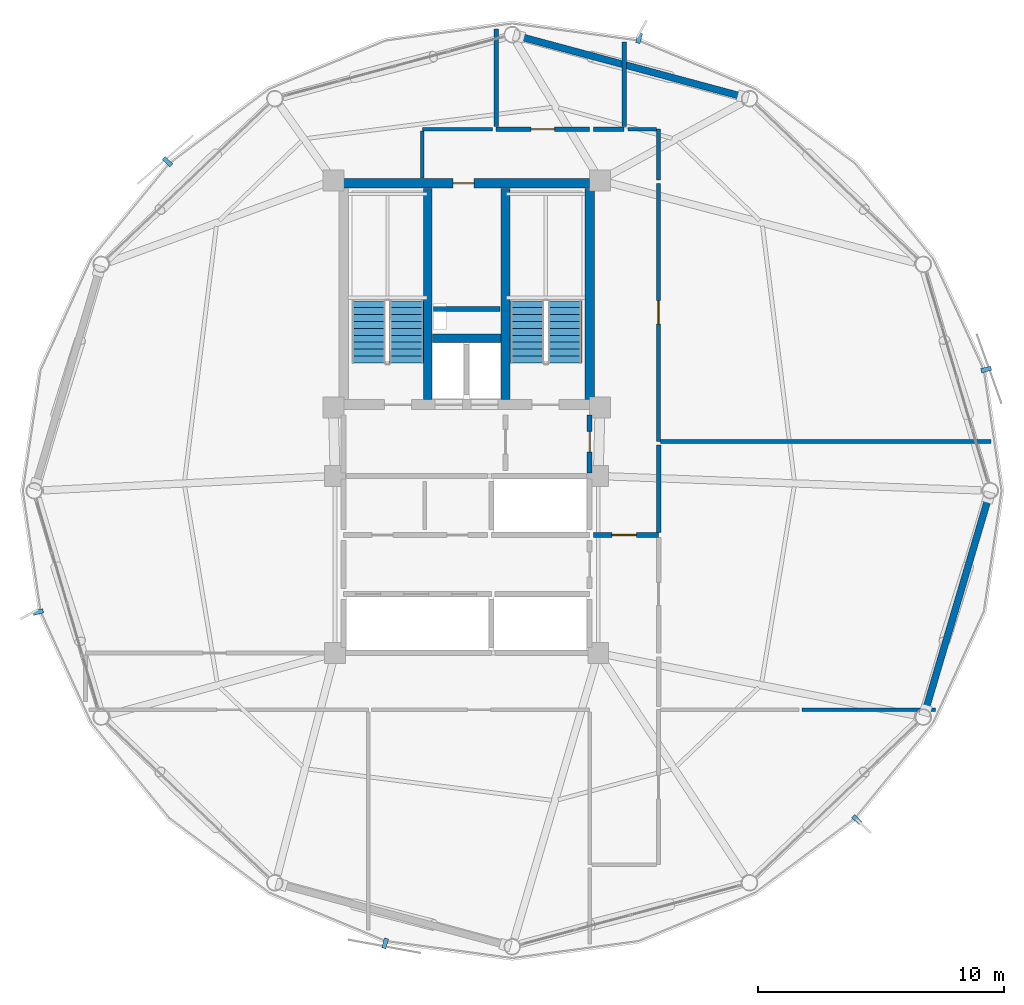
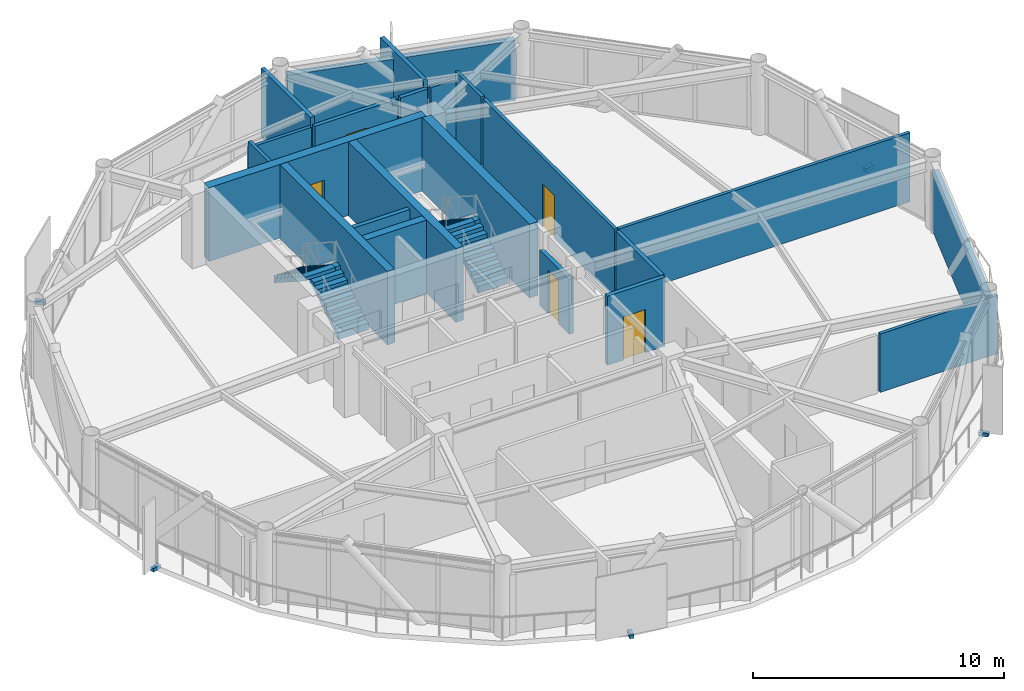
# One storey, part 25 of 28: 22 walls, 6 discrete accessories, 5 doors, 4 stair flights, 5 openings, 2 elements without a shape of their own.
"""IFC4 building model written with IfcOpenShell, lengths in metres."""

from ifc_helpers import new_model, si_unit, direction, frame, frame_2d, origin, origin_2d, place, context, subcontext, project, spatial, polyline, rectangle, outline, extrude, source, transform, mapped, material, layer, layer_set, type_object, type_shapes, element, fill, aggregate, save


model = new_model("IFC4")

# Units and contexts
model_context = context("Model", 3, precision=1e-05, world=origin(), true_north=direction((0.0, 1.0)))
body_context = subcontext(model_context, "Body", "Model", "MODEL_VIEW")
ifc_project = project(units=[si_unit("LENGTHUNIT", "METRE"), si_unit("AREAUNIT", "SQUARE_METRE"), si_unit("VOLUMEUNIT", "CUBIC_METRE"), si_unit("PLANEANGLEUNIT", "RADIAN"), si_unit("MASSUNIT", "GRAM", prefix="KILO")], contexts=[model_context])

# Site, building, storey
site_placement = place(None, origin())
site = spatial("IfcSite", under=ifc_project, at=site_placement, CompositionType="ELEMENT")
building_placement = place(site_placement, origin())
building = spatial("IfcBuilding", under=site, at=building_placement, Name="Varnakorn Sky Granary", CompositionType="ELEMENT")
storey_placement = place(building_placement, frame((0.0, 0.0, 196.800048828125)))
storey = spatial("IfcBuildingStorey", under=building, at=storey_placement, Name="L49", CompositionType="ELEMENT", Elevation=196.800048828125)

# Walls
ifc_material_1 = material(Name="Concrete C50/60", Category="concrete")
ifc_layer_1 = layer(ifc_material_1, 0.35009765625, Name="Concrete C50/60")
ifc_layer_set_1 = layer_set([ifc_layer_1], Name="Concrete C50/60")
wall_type_1 = type_object("IfcWallType", Name="WT-CW-INT-350", PredefinedType="SHEAR", material=ifc_layer_set_1)
for number, where, z_axis, x_axis, name in (
    (1, (1.419921875, 3.7099609375, 0.0), (0.0, 0.0, 1.0), (0.0, 1.0, 0.0), "Stair ST-1 Core Wall L49"),
    (2, (4.580078125, 3.7099609375, 0.0), (0.0, 0.0, 1.0), (0.0, 1.0, 0.0), "Stair ST-2 Core Wall L49"),
):
    element("IfcWall", number, at=place(storey_placement, frame(where, z_axis=z_axis, x_axis=x_axis)), inside=storey, type_object=wall_type_1, Name=name, PredefinedType="SHEAR", context=body_context, shape_type="SweptSolid", body=[
        extrude(rectangle(XDim=8.580078125, YDim=0.35009765625, at=frame_2d((4.2900390625, 0.0))), origin(), (0.0, 0.0, 1.0), 3.592041015625),
    ])
wall_1_placement = place(storey_placement, frame((1.610107421875, 6.199951171875, 0.0), z_axis=(0.0, 0.0, 1.0), x_axis=(1.0, 0.0, 0.0)))
element("IfcWall", 3, at=wall_1_placement, inside=storey, type_object=wall_type_1, Name="Core Lift Shaft Cross Wall L49", PredefinedType="SHEAR", context=body_context, shape_type="SweptSolid", body=[
    extrude(rectangle(XDim=2.77978515625, YDim=0.35009765625, at=frame_2d((1.389892578125, 0.0))), origin(), (0.0, 0.0, 1.0), 3.592041015625),
])

# Wall, opening, door
ifc_layer_2 = layer(ifc_material_1, 0.39990234375, Name="Concrete C50/60")
ifc_layer_set_2 = layer_set([ifc_layer_2], Name="Concrete C50/60")
wall_type_2 = type_object("IfcWallType", Name="WT-CW-SHEAR-400", PredefinedType="SHEAR", material=ifc_layer_set_2)
wall_2_placement = place(storey_placement, frame((-2.0, 12.5, 0.0), z_axis=(0.0, 0.0, 1.0), x_axis=(1.0, 0.0, 0.0)))
wall_2 = element("IfcWall", 4, at=wall_2_placement, inside=storey, type_object=wall_type_2, Name="Core North Shear Wall L49", PredefinedType="SHEAR", context=body_context, shape_type="SweptSolid", body=[
    extrude(rectangle(XDim=10.0, YDim=0.39990234375, at=frame_2d((5.0, 0.0))), origin(), (0.0, 0.0, 1.0), 3.592041015625),
])
opening_1_placement = place(wall_2_placement, frame((4.449951171875, 0.0, 0.0)))
opening_1 = element("IfcOpeningElement", 5, at=opening_1_placement, cuts=wall_2, Name="Opening FD-60N", PredefinedType="OPENING", context=body_context, shape_type="SweptSolid", body=[
    extrude(rectangle(XDim=0.85009765625, YDim=2.10009765625, at=frame_2d((0.425048828125, 1.050048828125))), frame((0.0, 0.2099609375, 0.0), z_axis=(0.0, -1.0, 0.0), x_axis=(1.0, 0.0, 0.0)), (0.0, 0.0, 1.0), 0.419921875),
])
ifc_material_2 = material(Name="Acoustic Timber Fire Leaf", Category="wood")
door_type_1 = type_object("IfcDoorType", Name="DR-FD60-850", OperationType="NOTDEFINED", PredefinedType="DOOR", material=ifc_material_2)
door_1_placement = place(opening_1_placement, origin())
door_1 = element("IfcDoor", 6, at=door_1_placement, inside=storey, type_object=door_type_1, Name="Core North Service Door L49", OperationType="SINGLE_SWING_LEFT", OverallHeight=2.10009765625, OverallWidth=0.85009765625, PredefinedType="DOOR", context=body_context, shape_type="SweptSolid", body=[
    extrude(rectangle(XDim=0.85009765625, YDim=2.10009765625, at=frame_2d((0.425048828125, 1.050048828125))), frame((0.0, 0.02490234375, 0.0), z_axis=(0.0, -1.0, 0.0), x_axis=(1.0, 0.0, 0.0)), (0.0, 0.0, 1.0), 0.050048828125),
])
fill(opening_1, door_1)

# Walls
wall_3_placement = place(storey_placement, frame((8.0, 3.7099609375, 0.0), z_axis=(0.0, 0.0, 1.0), x_axis=(0.0, 1.0, 0.0)))
element("IfcWall", 7, at=wall_3_placement, inside=storey, type_object=wall_type_2, Name="Core East Shear Wall L49", PredefinedType="SHEAR", context=body_context, shape_type="SweptSolid", body=[
    extrude(rectangle(XDim=8.580078125, YDim=0.39990234375, at=frame_2d((4.2900390625, 0.0))), origin(), (0.0, 0.0, 1.0), 3.592041015625),
])
ifc_material_3 = material(Name="Precast concrete C40/50", Category="concrete")
ifc_layer_3 = layer(ifc_material_3, 0.280029296875, Name="Precast concrete C40/50")
ifc_layer_set_3 = layer_set([ifc_layer_3], Name="Precast concrete C40/50")
wall_type_3 = type_object("IfcWallType", Name="WT-EW-CRN-280", PredefinedType="SOLIDWALL", material=ifc_layer_set_3)
wall_4_placement = place(storey_placement, frame((5.125244140625, 18.472900390625, 0.0), z_axis=(0.0, 0.0, 1.0), x_axis=(0.965554731301, -0.260200040087, 0.0)))
element("IfcWall", 8, at=wall_4_placement, inside=storey, type_object=wall_type_3, Name="Agritech Insulated Precast Facade Wall L49-P03", PredefinedType="SOLIDWALL", context=body_context, shape_type="SweptSolid", body=[
    extrude(rectangle(XDim=9.4287109375, YDim=0.280029296875, at=frame_2d((4.71435546875, 0.0))), origin(), (0.0, 0.0, 1.0), 2.929931640625),
])
wall_5_placement = place(storey_placement, frame((24.213134765625, -0.273193359375, 0.0), z_axis=(0.0, 0.0, 1.0), x_axis=(-0.28353319575, -0.958962422052, 0.0)))
element("IfcWall", 9, at=wall_5_placement, inside=storey, type_object=wall_type_3, Name="Agritech Insulated Precast Facade Wall L49-P12", PredefinedType="SOLIDWALL", context=body_context, shape_type="SweptSolid", body=[
    extrude(rectangle(XDim=9.030029296875, YDim=0.280029296875, at=frame_2d((4.51513671875, 0.0))), origin(), (0.0, 0.0, 1.0), 2.929931640625),
])

# Wall, opening, door
ifc_material_4 = material(Name="Autoclaved Aerated Concrete Blockwork", Category="masonry")
ifc_layer_4 = layer(ifc_material_4, 0.199951171875, Name="Autoclaved Aerated Concrete Blockwork")
ifc_layer_set_4 = layer_set([ifc_layer_4], Name="Autoclaved Aerated Concrete Blockwork")
wall_type_4 = type_object("IfcWallType", Name="WT-FIRE-200", PredefinedType="MOVABLE", material=ifc_layer_set_4)
wall_6_placement = place(storey_placement, frame((8.0, 0.719970703125, 0.0), z_axis=(0.0, 0.0, 1.0), x_axis=(0.0, 1.0, 0.0)))
wall_6 = element("IfcWall", 10, at=wall_6_placement, inside=storey, type_object=wall_type_4, Name="Interior Partition Wall L49-015", PredefinedType="MOVABLE", context=body_context, shape_type="SweptSolid", body=[
    extrude(rectangle(XDim=2.35009765625, YDim=0.199951171875, at=frame_2d((1.175048828125, 0.0))), origin(), (0.0, 0.0, 1.0), 2.69189453125),
])
opening_2_placement = place(wall_6_placement, frame((0.844970703125, 0.0, 0.0)))
opening_2 = element("IfcOpeningElement", 11, at=opening_2_placement, cuts=wall_6, Name="Opening FD-60N", PredefinedType="OPENING", context=body_context, shape_type="SweptSolid", body=[
    extrude(rectangle(XDim=0.85009765625, YDim=2.10009765625, at=frame_2d((0.425048828125, 1.050048828125))), frame((0.0, 0.10986328125, 0.0), z_axis=(0.0, -1.0, 0.0), x_axis=(1.0, 0.0, 0.0)), (0.0, 0.0, 1.0), 0.219970703125),
])
door_2_placement = place(opening_2_placement, origin())
door_2 = element("IfcDoor", 12, at=door_2_placement, inside=storey, type_object=door_type_1, Name="Interior Door L49-015-1", OperationType="SINGLE_SWING_LEFT", OverallHeight=2.10009765625, OverallWidth=0.85009765625, PredefinedType="DOOR", context=body_context, shape_type="SweptSolid", body=[
    extrude(rectangle(XDim=0.85009765625, YDim=2.10009765625, at=frame_2d((0.425048828125, 1.050048828125))), frame((0.0, 0.02490234375, 0.0), z_axis=(0.0, -1.0, 0.0), x_axis=(1.0, 0.0, 0.0)), (0.0, 0.0, 1.0), 0.050048828125),
])
fill(opening_2, door_2)

wall_7_placement = place(storey_placement, frame((8.159912109375, -1.800048828125, 0.0), z_axis=(0.0, 0.0, 1.0), x_axis=(1.0, 0.0, 0.0)))
wall_7 = element("IfcWall", 13, at=wall_7_placement, inside=storey, type_object=wall_type_4, Name="Interior Partition Wall L49-018", PredefinedType="MOVABLE", context=body_context, shape_type="SweptSolid", body=[
    extrude(rectangle(XDim=2.64013671875, YDim=0.199951171875, at=frame_2d((1.320068359375, 0.0))), origin(), (0.0, 0.0, 1.0), 3.35986328125),
])
opening_3_placement = place(wall_7_placement, frame((0.739990234375, 0.0, 0.0)))
opening_3 = element("IfcOpeningElement", 14, at=opening_3_placement, cuts=wall_7, Name="Opening FD-60", PredefinedType="OPENING", context=body_context, shape_type="SweptSolid", body=[
    extrude(rectangle(XDim=1.0, YDim=2.10009765625, at=frame_2d((0.5, 1.050048828125))), frame((0.0, 0.10986328125, 0.0), z_axis=(0.0, -1.0, 0.0), x_axis=(1.0, 0.0, 0.0)), (0.0, 0.0, 1.0), 0.219970703125),
])
door_type_2 = type_object("IfcDoorType", Name="DR-FD60-1000", OperationType="NOTDEFINED", PredefinedType="DOOR", material=ifc_material_2)
door_3_placement = place(opening_3_placement, origin())
door_3 = element("IfcDoor", 15, at=door_3_placement, inside=storey, type_object=door_type_2, Name="Interior Door L49-018-1", OperationType="SINGLE_SWING_LEFT", OverallHeight=2.10009765625, OverallWidth=1.0, PredefinedType="DOOR", context=body_context, shape_type="SweptSolid", body=[
    extrude(rectangle(XDim=1.0, YDim=2.10009765625, at=frame_2d((0.5, 1.050048828125))), frame((0.0, 0.02490234375, 0.0), z_axis=(0.0, -1.0, 0.0), x_axis=(1.0, 0.0, 0.0)), (0.0, 0.0, 1.0), 0.050048828125),
])
fill(opening_3, door_3)

ifc_material_5 = material(Name="Gypsum Plasterboard on Steel Stud", Category="steel")
ifc_layer_5 = layer(ifc_material_5, 0.14990234375, Name="Gypsum Plasterboard on Steel Stud")
ifc_layer_set_5 = layer_set([ifc_layer_5], Name="Gypsum Plasterboard on Steel Stud")
wall_type_5 = type_object("IfcWallType", Name="WT-PART-150", PredefinedType="PARTITIONING", material=ifc_layer_set_5)
wall_8_placement = place(storey_placement, frame((10.800048828125, 2.0, 0.0), z_axis=(0.0, 0.0, 1.0), x_axis=(0.0, 1.0, 0.0)))
wall_8 = element("IfcWall", 16, at=wall_8_placement, inside=storey, type_object=wall_type_5, Name="Interior Partition Wall L49-025", PredefinedType="PARTITIONING", context=body_context, shape_type="SweptSolid", body=[
    extrude(rectangle(XDim=10.5, YDim=0.14990234375, at=frame_2d((5.25, 0.0))), origin(), (0.0, 0.0, 1.0), 3.35986328125),
])
opening_4_placement = place(wall_8_placement, frame((4.77490234375, 0.0, 0.0)))
opening_4 = element("IfcOpeningElement", 17, at=opening_4_placement, cuts=wall_8, Name="Opening ID-95", PredefinedType="OPENING", context=body_context, shape_type="SweptSolid", body=[
    extrude(rectangle(XDim=0.949951171875, YDim=2.10009765625, at=frame_2d((0.47509765625, 1.050048828125))), frame((0.0, 0.0849609375, 0.0), z_axis=(0.0, -1.0, 0.0), x_axis=(1.0, 0.0, 0.0)), (0.0, 0.0, 1.0), 0.169921875),
])
ifc_material_6 = material(Name="Solid-Core Teak Veneer Leaf", Category="timber")
door_type_3 = type_object("IfcDoorType", Name="DR-INT-950", OperationType="NOTDEFINED", PredefinedType="DOOR", material=ifc_material_6)
door_4_placement = place(opening_4_placement, origin())
door_4 = element("IfcDoor", 18, at=door_4_placement, inside=storey, type_object=door_type_3, Name="Interior Door L49-025-1", OperationType="SINGLE_SWING_RIGHT", OverallHeight=2.10009765625, OverallWidth=0.949951171875, PredefinedType="DOOR", context=body_context, shape_type="SweptSolid", body=[
    extrude(rectangle(XDim=0.949951171875, YDim=2.10009765625, at=frame_2d((0.47509765625, 1.050048828125))), frame((0.0, 0.02490234375, 0.0), z_axis=(0.0, -1.0, 0.0), x_axis=(1.0, 0.0, 0.0)), (0.0, 0.0, 1.0), 0.050048828125),
])
fill(opening_4, door_4)

# Walls
wall_9_placement = place(storey_placement, frame((16.635009765625, -8.89990234375, 0.0), z_axis=(0.0, 0.0, 1.0), x_axis=(1.0, 0.0, 0.0)))
element("IfcWall", 19, at=wall_9_placement, inside=storey, type_object=wall_type_5, Name="Interior Partition Wall L49-037", PredefinedType="PARTITIONING", context=body_context, shape_type="SweptSolid", body=[
    extrude(rectangle(XDim=5.416015625, YDim=0.14990234375, at=frame_2d((2.7080078125, 0.0))), origin(), (0.0, 0.0, 1.0), 2.842041015625),
])
wall_10_placement = place(storey_placement, frame((4.050048828125, 14.699951171875, 0.0), z_axis=(0.0, 0.0, 1.0), x_axis=(-1.0, 0.0, 0.0)))
element("IfcWall", 20, at=wall_10_placement, inside=storey, type_object=wall_type_5, Name="Interior Partition Wall L49-039", PredefinedType="PARTITIONING", context=body_context, shape_type="SweptSolid", body=[
    extrude(rectangle(XDim=2.85009765625, YDim=0.14990234375, at=frame_2d((1.425048828125, 0.0))), origin(), (0.0, 0.0, 1.0), 3.011962890625),
])
wall_11_placement = place(storey_placement, frame((1.199951171875, 14.614990234375, 0.0), z_axis=(0.0, 0.0, 1.0), x_axis=(0.0, -1.0, 0.0)))
element("IfcWall", 21, at=wall_11_placement, inside=storey, type_object=wall_type_5, Name="Interior Partition Wall L49-040", PredefinedType="PARTITIONING", context=body_context, shape_type="SweptSolid", body=[
    extrude(rectangle(XDim=1.905029296875, YDim=0.14990234375, at=frame_2d((0.95263671875, 0.0))), origin(), (0.0, 0.0, 1.0), 3.35986328125),
])
wall_12_placement = place(storey_placement, frame((10.885009765625, 2.0, 0.0), z_axis=(0.0, 0.0, 1.0), x_axis=(1.0, 0.0, 0.0)))
element("IfcWall", 22, at=wall_12_placement, inside=storey, type_object=wall_type_5, Name="Interior Partition Wall L49-044", PredefinedType="PARTITIONING", context=body_context, shape_type="SweptSolid", body=[
    extrude(rectangle(XDim=13.425048828125, YDim=0.14990234375, at=frame_2d((6.71240234375, 0.0))), origin(), (0.0, 0.0, 1.0), 3.35986328125),
])
wall_13_placement = place(storey_placement, frame((10.800048828125, 12.635009765625, 0.0), z_axis=(0.0, 0.0, 1.0), x_axis=(0.0, 1.0, 0.0)))
element("IfcWall", 23, at=wall_13_placement, inside=storey, type_object=wall_type_5, Name="Interior Partition Wall L49-045", PredefinedType="PARTITIONING", context=body_context, shape_type="SweptSolid", body=[
    extrude(rectangle(XDim=2.06494140625, YDim=0.14990234375, at=frame_2d((1.032470703125, 0.0))), origin(), (0.0, 0.0, 1.0), 3.35986328125),
])
wall_14_placement = place(storey_placement, frame((10.715087890625, 14.699951171875, 0.0), z_axis=(0.0, 0.0, 1.0), x_axis=(-1.0, 0.0, 0.0)))
element("IfcWall", 24, at=wall_14_placement, inside=storey, type_object=wall_type_5, Name="Interior Partition Wall L49-046", PredefinedType="PARTITIONING", context=body_context, shape_type="SweptSolid", body=[
    extrude(rectangle(XDim=1.1650390625, YDim=0.14990234375, at=frame_2d((0.58251953125, 0.0))), origin(), (0.0, 0.0, 1.0), 3.011962890625),
])

# Wall, opening, door
ifc_material_7 = material(Name="Moisture-Resistant Gypsum on Stud", Category="gypsum")
ifc_layer_6 = layer(ifc_material_7, 0.179931640625, Name="Moisture-Resistant Gypsum on Stud")
ifc_layer_set_6 = layer_set([ifc_layer_6], Name="Moisture-Resistant Gypsum on Stud")
wall_type_6 = type_object("IfcWallType", Name="WT-PLUMB-180", PredefinedType="PLUMBINGWALL", material=ifc_layer_set_6)
wall_15_placement = place(storey_placement, frame((8.0, 14.699951171875, 0.0), z_axis=(0.0, 0.0, 1.0), x_axis=(-1.0, 0.0, 0.0)))
wall_15 = element("IfcWall", 25, at=wall_15_placement, inside=storey, type_object=wall_type_6, Name="Interior Partition Wall L49-019", PredefinedType="PLUMBINGWALL", context=body_context, shape_type="SweptSolid", body=[
    extrude(rectangle(XDim=3.800048828125, YDim=0.179931640625, at=frame_2d((1.89990234375, 0.0))), origin(), (0.0, 0.0, 1.0), 3.011962890625),
])
opening_5_placement = place(wall_15_placement, frame((1.425048828125, 0.0, 0.0)))
opening_5 = element("IfcOpeningElement", 26, at=opening_5_placement, cuts=wall_15, Name="Opening ID-95", PredefinedType="OPENING", context=body_context, shape_type="SweptSolid", body=[
    extrude(rectangle(XDim=0.949951171875, YDim=2.10009765625, at=frame_2d((0.47509765625, 1.050048828125))), frame((0.0, 0.10009765625, 0.0), z_axis=(0.0, -1.0, 0.0), x_axis=(1.0, 0.0, 0.0)), (0.0, 0.0, 1.0), 0.199951171875),
])
door_5_placement = place(opening_5_placement, origin())
door_5 = element("IfcDoor", 27, at=door_5_placement, inside=storey, type_object=door_type_3, Name="Interior Door L49-019-1", OperationType="SINGLE_SWING_RIGHT", OverallHeight=2.10009765625, OverallWidth=0.949951171875, PredefinedType="DOOR", context=body_context, shape_type="SweptSolid", body=[
    extrude(rectangle(XDim=0.949951171875, YDim=2.10009765625, at=frame_2d((0.47509765625, 1.050048828125))), frame((0.0, 0.02490234375, 0.0), z_axis=(0.0, -1.0, 0.0), x_axis=(1.0, 0.0, 0.0)), (0.0, 0.0, 1.0), 0.050048828125),
])
fill(opening_5, door_5)

# Walls
wall_16_placement = place(storey_placement, frame((9.39990234375, 14.699951171875, 0.0), z_axis=(0.0, 0.0, 1.0), x_axis=(-1.0, 0.0, 0.0)))
element("IfcWall", 28, at=wall_16_placement, inside=storey, type_object=wall_type_6, Name="Interior Partition Wall L49-031", PredefinedType="PLUMBINGWALL", context=body_context, shape_type="SweptSolid", body=[
    extrude(rectangle(XDim=1.25, YDim=0.179931640625, at=frame_2d((0.625, 0.0))), origin(), (0.0, 0.0, 1.0), 3.011962890625),
])
wall_17_placement = place(storey_placement, frame((4.199951171875, 18.77001953125, 0.0), z_axis=(0.0, 0.0, 1.0), x_axis=(0.0, -1.0, 0.0)))
element("IfcWall", 29, at=wall_17_placement, inside=storey, type_object=wall_type_6, Name="Interior Partition Wall L49-041", PredefinedType="PLUMBINGWALL", context=body_context, shape_type="SweptSolid", body=[
    extrude(rectangle(XDim=3.969970703125, YDim=0.179931640625, at=frame_2d((1.98486328125, 0.0))), origin(), (0.0, 0.0, 1.0), 3.35986328125),
])
wall_18_placement = place(storey_placement, frame((10.800048828125, -1.68994140625, 0.0), z_axis=(0.0, 0.0, 1.0), x_axis=(0.0, 1.0, 0.0)))
element("IfcWall", 30, at=wall_18_placement, inside=storey, type_object=wall_type_6, Name="Interior Partition Wall L49-043", PredefinedType="PLUMBINGWALL", context=body_context, shape_type="SweptSolid", body=[
    extrude(rectangle(XDim=3.554931640625, YDim=0.179931640625, at=frame_2d((1.77734375, 0.0))), origin(), (0.0, 0.0, 1.0), 3.35986328125),
])
wall_19_placement = place(storey_placement, frame((9.39990234375, 14.800048828125, 0.0), z_axis=(0.0, 0.0, 1.0), x_axis=(0.0, 1.0, 0.0)))
element("IfcWall", 31, at=wall_19_placement, inside=storey, type_object=wall_type_6, Name="Interior Partition Wall L49-047", PredefinedType="PLUMBINGWALL", context=body_context, shape_type="SweptSolid", body=[
    extrude(rectangle(XDim=3.445068359375, YDim=0.179931640625, at=frame_2d((1.72265625, 0.0))), origin(), (0.0, 0.0, 1.0), 3.35986328125),
])
ifc_layer_7 = layer(ifc_material_4, 0.199951171875, Name="Autoclaved Aerated Concrete Blockwork")
ifc_layer_set_7 = layer_set([ifc_layer_7], Name="Autoclaved Aerated Concrete Blockwork")
wall_type_7 = type_object("IfcWallType", Name="WT-SHAFT-200", PredefinedType="SOLIDWALL", material=ifc_layer_set_7)
wall_20_placement = place(storey_placement, frame((1.64990234375, 7.3798828125, 0.0), z_axis=(0.0, 0.0, 1.0), x_axis=(1.0, 0.0, 0.0)))
element("IfcWall", 32, at=wall_20_placement, inside=storey, type_object=wall_type_7, Name="Interior Partition Wall L49-002", PredefinedType="SOLIDWALL", context=body_context, shape_type="SweptSolid", body=[
    extrude(rectangle(XDim=2.7001953125, YDim=0.199951171875, at=frame_2d((1.35009765625, 0.0))), origin(), (0.0, 0.0, 1.0), 3.35986328125),
])

# Stair, stair flights
ifc_material_8 = material(Name="Concrete C40/50", Category="concrete")
stair_type = type_object("IfcStairType", Name="ST-MAIN-ASSEMBLY", PredefinedType="HALF_TURN_STAIR", material=ifc_material_8)
stair_1_placement = place(storey_placement, origin())
stair_1 = element("IfcStair", 33, at=stair_1_placement, inside=storey, type_object=stair_type, Name="L49 Protected Exit Stair ST-1", PredefinedType="HALF_TURN_STAIR")
stair_flight_type = type_object("IfcStairFlightType", Name="ST-MAIN-FLIGHT", PredefinedType="STRAIGHT", material=ifc_material_8)
stair_flight_1_placement = place(storey_placement, frame((0.550048828125, 5.199951171875, 0.0), z_axis=(0.0, 0.0, 1.0), x_axis=(0.0, 1.0, 0.0)))
stair_flight_1 = element("IfcStairFlight", 34, at=stair_flight_1_placement, type_object=stair_flight_type, Name="ST-1 flight 1", NumberOfRisers=10, NumberOfTreads=9, PredefinedType="STRAIGHT", RiserHeight=0.18, TreadLength=0.28, context=body_context, shape_type="SweptSolid", body=[
    extrude(outline(polyline([(0.0, -0.14990234375), (0.0, 0.0), (0.0, 0.179931640625), (0.280029296875, 0.179931640625), (0.280029296875, 0.360107421875), (0.56005859375, 0.360107421875), (0.56005859375, 0.5400390625), (0.840087890625, 0.5400390625), (0.840087890625, 0.719970703125), (1.1201171875, 0.719970703125), (1.1201171875, 0.89990234375), (1.39990234375, 0.89990234375), (1.39990234375, 1.080078125), (1.679931640625, 1.080078125), (1.679931640625, 1.260009765625), (1.9599609375, 1.260009765625), (1.9599609375, 1.43994140625), (2.239990234375, 1.43994140625), (2.239990234375, 1.6201171875), (2.52001953125, 1.6201171875), (2.52001953125, 1.800048828125), (2.52001953125, 1.44189453125), (0.050048828125, -0.14990234375), (0.0, -0.14990234375)])), frame((0.0, 0.68994140625, 0.0), z_axis=(0.0, -1.0, 0.0), x_axis=(1.0, 0.0, 0.0)), (0.0, 0.0, 1.0), 1.3798828125),
])
stair_flight_2_placement = place(storey_placement, frame((-0.97998046875, 7.719970703125, 1.800048828125), z_axis=(0.0, 0.0, 1.0), x_axis=(0.0, -1.0, 0.0)))
stair_flight_2 = element("IfcStairFlight", 35, at=stair_flight_2_placement, type_object=stair_flight_type, Name="ST-1 flight 2", NumberOfRisers=10, NumberOfTreads=9, PredefinedType="STRAIGHT", RiserHeight=0.18, TreadLength=0.28, context=body_context, shape_type="SweptSolid", body=[
    extrude(outline(polyline([(0.0, -0.14990234375), (0.0, 0.0), (0.0, 0.179931640625), (0.280029296875, 0.179931640625), (0.280029296875, 0.360107421875), (0.56005859375, 0.360107421875), (0.56005859375, 0.5400390625), (0.840087890625, 0.5400390625), (0.840087890625, 0.719970703125), (1.1201171875, 0.719970703125), (1.1201171875, 0.89990234375), (1.39990234375, 0.89990234375), (1.39990234375, 1.080078125), (1.679931640625, 1.080078125), (1.679931640625, 1.260009765625), (1.9599609375, 1.260009765625), (1.9599609375, 1.43994140625), (2.239990234375, 1.43994140625), (2.239990234375, 1.6201171875), (2.52001953125, 1.6201171875), (2.52001953125, 1.800048828125), (2.52001953125, 1.44189453125), (0.050048828125, -0.14990234375), (0.0, -0.14990234375)])), frame((0.0, 0.68994140625, 0.0), z_axis=(0.0, -1.0, 0.0), x_axis=(1.0, 0.0, 0.0)), (0.0, 0.0, 1.0), 1.3798828125),
])
aggregate(stair_1, [stair_flight_1, stair_flight_2])

stair_2_placement = place(storey_placement, origin())
stair_2 = element("IfcStair", 36, at=stair_2_placement, inside=storey, type_object=stair_type, Name="L49 Protected Exit Stair ST-2", PredefinedType="HALF_TURN_STAIR")
stair_flight_3_placement = place(storey_placement, frame((6.989990234375, 5.199951171875, 0.0), z_axis=(0.0, 0.0, 1.0), x_axis=(0.0, 1.0, 0.0)))
stair_flight_3 = element("IfcStairFlight", 37, at=stair_flight_3_placement, type_object=stair_flight_type, Name="ST-2 flight 1", NumberOfRisers=10, NumberOfTreads=9, PredefinedType="STRAIGHT", RiserHeight=0.18, TreadLength=0.28, context=body_context, shape_type="SweptSolid", body=[
    extrude(outline(polyline([(0.0, -0.14990234375), (0.0, 0.0), (0.0, 0.179931640625), (0.280029296875, 0.179931640625), (0.280029296875, 0.360107421875), (0.56005859375, 0.360107421875), (0.56005859375, 0.5400390625), (0.840087890625, 0.5400390625), (0.840087890625, 0.719970703125), (1.1201171875, 0.719970703125), (1.1201171875, 0.89990234375), (1.39990234375, 0.89990234375), (1.39990234375, 1.080078125), (1.679931640625, 1.080078125), (1.679931640625, 1.260009765625), (1.9599609375, 1.260009765625), (1.9599609375, 1.43994140625), (2.239990234375, 1.43994140625), (2.239990234375, 1.6201171875), (2.52001953125, 1.6201171875), (2.52001953125, 1.800048828125), (2.52001953125, 1.44189453125), (0.050048828125, -0.14990234375), (0.0, -0.14990234375)])), frame((0.0, 0.68994140625, 0.0), z_axis=(0.0, -1.0, 0.0), x_axis=(1.0, 0.0, 0.0)), (0.0, 0.0, 1.0), 1.3798828125),
])
stair_flight_4_placement = place(storey_placement, frame((5.4599609375, 7.719970703125, 1.800048828125), z_axis=(0.0, 0.0, 1.0), x_axis=(0.0, -1.0, 0.0)))
stair_flight_4 = element("IfcStairFlight", 38, at=stair_flight_4_placement, type_object=stair_flight_type, Name="ST-2 flight 2", NumberOfRisers=10, NumberOfTreads=9, PredefinedType="STRAIGHT", RiserHeight=0.18, TreadLength=0.28, context=body_context, shape_type="SweptSolid", body=[
    extrude(outline(polyline([(0.0, -0.14990234375), (0.0, 0.0), (0.0, 0.179931640625), (0.280029296875, 0.179931640625), (0.280029296875, 0.360107421875), (0.56005859375, 0.360107421875), (0.56005859375, 0.5400390625), (0.840087890625, 0.5400390625), (0.840087890625, 0.719970703125), (1.1201171875, 0.719970703125), (1.1201171875, 0.89990234375), (1.39990234375, 0.89990234375), (1.39990234375, 1.080078125), (1.679931640625, 1.080078125), (1.679931640625, 1.260009765625), (1.9599609375, 1.260009765625), (1.9599609375, 1.43994140625), (2.239990234375, 1.43994140625), (2.239990234375, 1.6201171875), (2.52001953125, 1.6201171875), (2.52001953125, 1.800048828125), (2.52001953125, 1.44189453125), (0.050048828125, -0.14990234375), (0.0, -0.14990234375)])), frame((0.0, 0.68994140625, 0.0), z_axis=(0.0, -1.0, 0.0), x_axis=(1.0, 0.0, 0.0)), (0.0, 0.0, 1.0), 1.3798828125),
])
aggregate(stair_2, [stair_flight_3, stair_flight_4])

# Discrete accessories
ifc_material_9 = material(Name="Steel S355JR", Category="steel")
discrete_accessory_type = type_object("IfcDiscreteAccessoryType", Name="AC-BRK-01", PredefinedType="BRACKET", material=ifc_material_9)
shared_shape = source(origin(), body_context, "Body", "SweptSolid", [
    extrude(rectangle(XDim=0.179931640625, YDim=0.419921875, at=origin_2d()), origin(), (0.0, 0.0, 1.0), 0.179931640625),
])
type_shapes(discrete_accessory_type, [shared_shape])
for number, where, z_axis, x_axis, name in (
    (39, (24.11962890625, 4.9296875, -0.2001953125), (0.0, 0.0, 1.0), (-0.247848375565, 0.968798835017, 0.0), "Facade Solar-Screen Outrigger Bracket L49-01"),
    (40, (10.014404296875, 18.40234375, -0.2001953125), (0.0, 0.0, 1.0), (-0.962802977177, 0.270204417321, 0.0), "Facade Solar-Screen Outrigger Bracket L49-03"),
    (41, (-9.16259765625, 13.37451171875, -0.2001953125), (0.0, 0.0, 1.0), (-0.690440164244, -0.723389507526, 0.0), "Facade Solar-Screen Outrigger Bracket L49-05"),
    (42, (-14.419677734375, -4.9296875, -0.2001953125), (0.0, 0.0, 1.0), (0.247848375565, -0.968798835017, 0.0), "Facade Solar-Screen Outrigger Bracket L49-07"),
    (43, (-0.314453125, -18.40234375, -0.2001953125), (0.0, 0.0, 1.0), (0.962802977177, -0.270204417321, 0.0), "Facade Solar-Screen Outrigger Bracket L49-09"),
    (44, (18.862548828125, -13.37451171875, -0.2001953125), (0.0, 0.0, 1.0), (0.690440164244, 0.723389507526, 0.0), "Facade Solar-Screen Outrigger Bracket L49-11"),
):
    element("IfcDiscreteAccessory", number, at=place(storey_placement, frame(where, z_axis=z_axis, x_axis=x_axis)), inside=storey, type_object=discrete_accessory_type, Name=name, PredefinedType="BRACKET", context=body_context, shape_type="MappedRepresentation", body=[
        mapped(shared_shape, transform((0.0, 0.0, 0.0), x_axis=(1.0, 0.0, 0.0), y_axis=(0.0, 1.0, 0.0), z_axis=(0.0, 0.0, 1.0), scale=1.0)),
    ])

save(model, "model.ifc")
